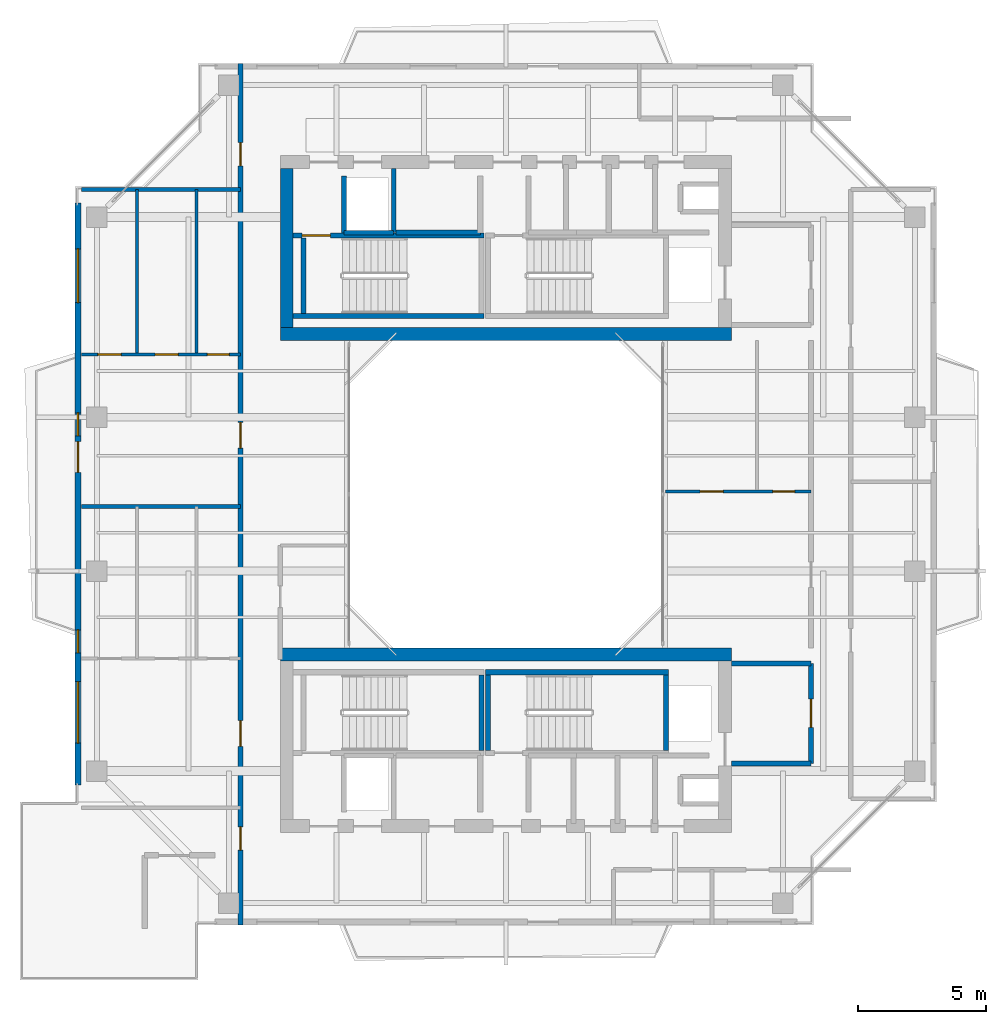
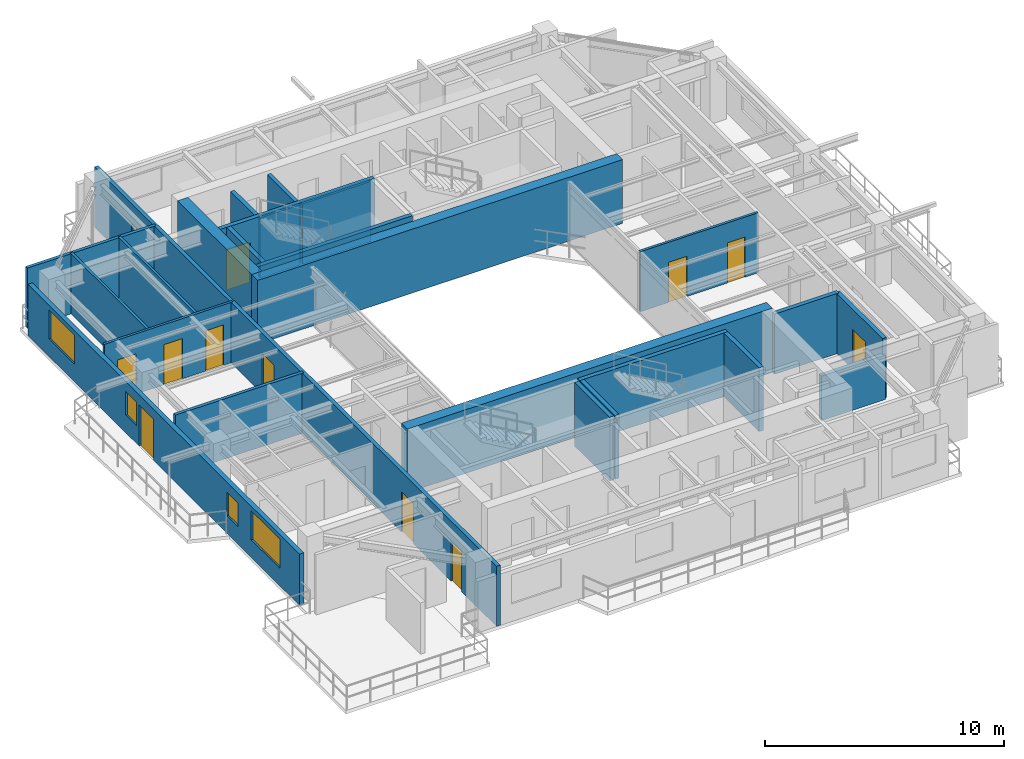
# One storey, part 10 of 15: 25 walls, 12 doors, 4 windows, 16 openings.
"""IFC4 building model written with IfcOpenShell, lengths in metres."""

from ifc_helpers import new_model, si_unit, direction, frame, frame_2d, origin, place, context, subcontext, project, spatial, rectangle, extrude, source, transform, mapped, material, layer, layer_set, type_object, element, fill, save


model = new_model("IFC4")

# Units and contexts
model_context = context("Model", 3, precision=1e-05, world=origin(), true_north=direction((0.0, 1.0)))
body_context = subcontext(model_context, "Body", "Model", "MODEL_VIEW")
ifc_project = project(units=[si_unit("LENGTHUNIT", "METRE"), si_unit("AREAUNIT", "SQUARE_METRE"), si_unit("VOLUMEUNIT", "CUBIC_METRE"), si_unit("PLANEANGLEUNIT", "RADIAN"), si_unit("MASSUNIT", "GRAM", prefix="KILO"), si_unit("THERMODYNAMICTEMPERATUREUNIT", "KELVIN"), si_unit("POWERUNIT", "WATT")], contexts=[model_context])

# Site, building, storey
site_placement = place(None, origin())
site = spatial("IfcSite", under=ifc_project, at=site_placement, CompositionType="ELEMENT")
building_placement = place(site_placement, origin())
building = spatial("IfcBuilding", under=site, at=building_placement, Name="Qiaomeng Ring Towers", CompositionType="ELEMENT")
storey_placement = place(building_placement, frame((0.0, 0.0, 193.75)))
storey = spatial("IfcBuildingStorey", under=building, at=storey_placement, Name="L56", CompositionType="ELEMENT", Elevation=193.75)

# Wall, openings, windows, door
ifc_material_1 = material(Name="Precast concrete C40", Category="concrete")
ifc_layer_1 = layer(ifc_material_1, 0.219970703125, Name="Precast concrete C40")
ifc_layer_set_1 = layer_set([ifc_layer_1], Name="Precast concrete C40")
wall_type_1 = type_object("IfcWallType", Name="ARC-WL-EW2", PredefinedType="STANDARD", material=ifc_layer_set_1)
wall_1_placement = place(storey_placement, frame((2.31005859375, 11.64990234375, 0.0), z_axis=(0.0, 0.0, 1.0), x_axis=(0.0, 1.0, 0.0)))
wall_1 = element("IfcWall", 1, at=wall_1_placement, inside=storey, type_object=wall_type_1, Name="L56 Tower 1 W Exterior Wall", PredefinedType="STANDARD", context=body_context, shape_type="SweptSolid", body=[
    extrude(rectangle(XDim=22.7001953125, YDim=0.219970703125, at=frame_2d((11.35009765625, 0.0))), origin(), (0.0, 0.0, 1.0), 2.610107421875),
])
opening_1_placement = place(wall_1_placement, frame((12.199951171875, 0.0, 0.0)))
opening_1 = element("IfcOpeningElement", 2, at=opening_1_placement, cuts=wall_1, Name="Opening BD1", PredefinedType="OPENING", context=body_context, shape_type="SweptSolid", body=[
    extrude(rectangle(XDim=1.199951171875, YDim=2.10009765625, at=frame_2d((0.60009765625, 1.050048828125))), frame((0.0, 0.119873046875, 0.0), z_axis=(0.0, -1.0, 0.0), x_axis=(1.0, 0.0, 0.0)), (0.0, 0.0, 1.0), 0.239990234375),
])
opening_2_placement = place(wall_1_placement, frame((1.637939453125, 0.0, 0.89990234375)))
opening_2 = element("IfcOpeningElement", 3, at=opening_2_placement, cuts=wall_1, Name="Opening WN6", PredefinedType="OPENING", context=body_context, shape_type="SweptSolid", body=[
    extrude(rectangle(XDim=2.39990234375, YDim=1.47998046875, at=frame_2d((1.199951171875, 0.739990234375))), frame((0.0, 0.119873046875, 0.0), z_axis=(0.0, -1.0, 0.0), x_axis=(1.0, 0.0, 0.0)), (0.0, 0.0, 1.0), 0.239990234375),
])
opening_3_placement = place(wall_1_placement, frame((18.81298828125, 0.0, 0.89990234375)))
opening_3 = element("IfcOpeningElement", 4, at=opening_3_placement, cuts=wall_1, Name="Opening WN4", PredefinedType="OPENING", context=body_context, shape_type="SweptSolid", body=[
    extrude(rectangle(XDim=2.10009765625, YDim=1.47998046875, at=frame_2d((1.050048828125, 0.739990234375))), frame((0.0, 0.119873046875, 0.0), z_axis=(0.0, -1.0, 0.0), x_axis=(1.0, 0.0, 0.0)), (0.0, 0.0, 1.0), 0.239990234375),
])
opening_4_placement = place(wall_1_placement, frame((5.159912109375, 0.0, 0.89990234375)))
opening_4 = element("IfcOpeningElement", 5, at=opening_4_placement, cuts=wall_1, Name="Opening WN5", PredefinedType="OPENING", context=body_context, shape_type="SweptSolid", body=[
    extrude(rectangle(XDim=0.89990234375, YDim=1.199951171875, at=frame_2d((0.449951171875, 0.60009765625))), frame((0.0, 0.119873046875, 0.0), z_axis=(0.0, -1.0, 0.0), x_axis=(1.0, 0.0, 0.0)), (0.0, 0.0, 1.0), 0.239990234375),
])
opening_5_placement = place(wall_1_placement, frame((13.6201171875, 0.0, 0.89990234375)))
opening_5 = element("IfcOpeningElement", 6, at=opening_5_placement, cuts=wall_1, Name="Opening WN5", PredefinedType="OPENING", context=body_context, shape_type="SweptSolid", body=[
    extrude(rectangle(XDim=0.89990234375, YDim=1.199951171875, at=frame_2d((0.449951171875, 0.60009765625))), frame((0.0, 0.119873046875, 0.0), z_axis=(0.0, -1.0, 0.0), x_axis=(1.0, 0.0, 0.0)), (0.0, 0.0, 1.0), 0.239990234375),
])
ifc_material_2 = material(Name="Low-E dark-grey laminated double glazing", Category="glass")
window_type_1 = type_object("IfcWindowType", Name="ARC-WN-4", PartitioningType="TRIPLE_PANEL_VERTICAL", PredefinedType="WINDOW", material=ifc_material_2)
shared_shape_1 = source(origin(), body_context, "Body", "SweptSolid", [
    extrude(rectangle(XDim=2.10009765625, YDim=1.47998046875, at=frame_2d((1.050048828125, 0.739990234375))), frame((0.0, 0.030029296875, 0.0), z_axis=(0.0, -1.0, 0.0), x_axis=(1.0, 0.0, 0.0)), (0.0, 0.0, 1.0), 0.06005859375),
])
window_1_placement = place(opening_3_placement, origin())
window_1 = element("IfcWindow", 7, at=window_1_placement, inside=storey, type_object=window_type_1, Name="L56 Exterior Window WN4", OverallHeight=1.47998046875, OverallWidth=2.10009765625, PartitioningType="TRIPLE_PANEL_VERTICAL", PredefinedType="WINDOW", context=body_context, shape_type="MappedRepresentation", body=[
    mapped(shared_shape_1, transform((0.0, 0.0, 0.0), x_axis=(1.0, 0.0, 0.0), y_axis=(0.0, 1.0, 0.0), z_axis=(0.0, 0.0, 1.0), scale=1.0)),
])
fill(opening_3, window_1)
window_type_2 = type_object("IfcWindowType", Name="ARC-WN-6", PartitioningType="TRIPLE_PANEL_VERTICAL", PredefinedType="WINDOW", material=ifc_material_2)
shared_shape_2 = source(origin(), body_context, "Body", "SweptSolid", [
    extrude(rectangle(XDim=2.39990234375, YDim=1.47998046875, at=frame_2d((1.199951171875, 0.739990234375))), frame((0.0, 0.030029296875, 0.0), z_axis=(0.0, -1.0, 0.0), x_axis=(1.0, 0.0, 0.0)), (0.0, 0.0, 1.0), 0.06005859375),
])
window_2_placement = place(opening_2_placement, origin())
window_2 = element("IfcWindow", 8, at=window_2_placement, inside=storey, type_object=window_type_2, Name="L56 Exterior Window WN6", OverallHeight=1.47998046875, OverallWidth=2.39990234375, PartitioningType="TRIPLE_PANEL_VERTICAL", PredefinedType="WINDOW", context=body_context, shape_type="MappedRepresentation", body=[
    mapped(shared_shape_2, transform((0.0, 0.0, 0.0), x_axis=(1.0, 0.0, 0.0), y_axis=(0.0, 1.0, 0.0), z_axis=(0.0, 0.0, 1.0), scale=1.0)),
])
fill(opening_2, window_2)
door_type_1 = type_object("IfcDoorType", Name="ARC-DR-BD1", OperationType="NOTDEFINED", PredefinedType="DOOR", material=ifc_material_2)
shared_shape_3 = source(origin(), body_context, "Body", "SweptSolid", [
    extrude(rectangle(XDim=1.199951171875, YDim=2.10009765625, at=frame_2d((0.60009765625, 1.050048828125))), frame((0.0, 0.02490234375, 0.0), z_axis=(0.0, -1.0, 0.0), x_axis=(1.0, 0.0, 0.0)), (0.0, 0.0, 1.0), 0.050048828125),
])
door_1_placement = place(opening_1_placement, frame((1.199951171875, 0.0, 0.0), z_axis=(0.0, 0.0, 1.0), x_axis=(-1.0, 0.0, 0.0)))
door_1 = element("IfcDoor", 9, at=door_1_placement, inside=storey, type_object=door_type_1, Name="L56 W Balcony Glazed Door", OperationType="SINGLE_SWING_LEFT", OverallHeight=2.10009765625, OverallWidth=1.199951171875, PredefinedType="DOOR", context=body_context, shape_type="MappedRepresentation", body=[
    mapped(shared_shape_3, transform((0.0, 0.0, 0.0), x_axis=(1.0, 0.0, 0.0), y_axis=(0.0, 1.0, 0.0), z_axis=(0.0, 0.0, 1.0), scale=1.0)),
])
fill(opening_1, door_1)
window_type_3 = type_object("IfcWindowType", Name="ARC-WN-5", PartitioningType="SINGLE_PANEL", PredefinedType="WINDOW", material=ifc_material_2)
shared_shape_4 = source(origin(), body_context, "Body", "SweptSolid", [
    extrude(rectangle(XDim=0.89990234375, YDim=1.199951171875, at=frame_2d((0.449951171875, 0.60009765625))), frame((0.0, 0.030029296875, 0.0), z_axis=(0.0, -1.0, 0.0), x_axis=(1.0, 0.0, 0.0)), (0.0, 0.0, 1.0), 0.06005859375),
])
window_3_placement = place(opening_4_placement, origin())
window_3 = element("IfcWindow", 10, at=window_3_placement, inside=storey, type_object=window_type_3, Name="L56 Exterior Window WN5", OverallHeight=1.199951171875, OverallWidth=0.89990234375, PartitioningType="SINGLE_PANEL", PredefinedType="WINDOW", context=body_context, shape_type="MappedRepresentation", body=[
    mapped(shared_shape_4, transform((0.0, 0.0, 0.0), x_axis=(1.0, 0.0, 0.0), y_axis=(0.0, 1.0, 0.0), z_axis=(0.0, 0.0, 1.0), scale=1.0)),
])
fill(opening_4, window_3)
window_4_placement = place(opening_5_placement, origin())
window_4 = element("IfcWindow", 11, at=window_4_placement, inside=storey, type_object=window_type_3, Name="L56 Exterior Window WN5", OverallHeight=1.199951171875, OverallWidth=0.89990234375, PartitioningType="SINGLE_PANEL", PredefinedType="WINDOW", context=body_context, shape_type="MappedRepresentation", body=[
    mapped(shared_shape_4, transform((0.0, 0.0, 0.0), x_axis=(1.0, 0.0, 0.0), y_axis=(0.0, 1.0, 0.0), z_axis=(0.0, 0.0, 1.0), scale=1.0)),
])
fill(opening_5, window_4)

# Walls
ifc_material_3 = material(Name="Autoclaved aerated concrete block", Category="concrete")
ifc_layer_2 = layer(ifc_material_3, 0.199951171875, Name="Autoclaved aerated concrete block")
ifc_layer_set_2 = layer_set([ifc_layer_2], Name="Autoclaved aerated concrete block")
wall_type_2 = type_object("IfcWallType", Name="ARC-WL-PW1", PredefinedType="PARTITIONING", material=ifc_layer_set_2)
wall_2_placement = place(storey_placement, frame((27.800048828125, 16.39990234375, 0.0), z_axis=(0.0, 0.0, 1.0), x_axis=(1.0, 0.0, 0.0)))
element("IfcWall", 12, at=wall_2_placement, inside=storey, type_object=wall_type_2, Name="L56 Interior Wall PW1", PredefinedType="PARTITIONING", context=body_context, shape_type="SweptSolid", body=[
    extrude(rectangle(XDim=3.099853515625, YDim=0.199951171875, at=frame_2d((1.5498046875, 0.0))), origin(), (0.0, 0.0, 1.0), 3.070068359375),
])
wall_3_placement = place(storey_placement, frame((27.800048828125, 12.5, 0.0), z_axis=(0.0, 0.0, 1.0), x_axis=(1.0, 0.0, 0.0)))
element("IfcWall", 13, at=wall_3_placement, inside=storey, type_object=wall_type_2, Name="L56 Interior Wall PW1", PredefinedType="PARTITIONING", context=body_context, shape_type="SweptSolid", body=[
    extrude(rectangle(XDim=3.099853515625, YDim=0.199951171875, at=frame_2d((1.5498046875, 0.0))), origin(), (0.0, 0.0, 1.0), 2.264892578125),
])

# Wall, opening, door
wall_4_placement = place(storey_placement, frame((30.89990234375, 12.5, 0.0), z_axis=(0.0, 0.0, 1.0), x_axis=(0.0, 1.0, 0.0)))
wall_4 = element("IfcWall", 14, at=wall_4_placement, inside=storey, type_object=wall_type_2, Name="L56 Interior Wall PW1", PredefinedType="PARTITIONING", context=body_context, shape_type="SweptSolid", body=[
    extrude(rectangle(XDim=3.89990234375, YDim=0.199951171875, at=frame_2d((1.949951171875, 0.0))), origin(), (0.0, 0.0, 1.0), 3.070068359375),
])
opening_6_placement = place(wall_4_placement, frame((1.39990234375, 0.0, 0.0)))
opening_6 = element("IfcOpeningElement", 15, at=opening_6_placement, cuts=wall_4, Name="Opening FD3", PredefinedType="OPENING", context=body_context, shape_type="SweptSolid", body=[
    extrude(rectangle(XDim=1.10009765625, YDim=2.050048828125, at=frame_2d((0.550048828125, 1.02490234375))), frame((0.0, 0.10986328125, 0.0), z_axis=(0.0, -1.0, 0.0), x_axis=(1.0, 0.0, 0.0)), (0.0, 0.0, 1.0), 0.219970703125),
])
ifc_material_4 = material(Name="Galvanised steel", Category="steel")
door_type_2 = type_object("IfcDoorType", Name="ARC-DR-FD3", OperationType="NOTDEFINED", PredefinedType="DOOR", material=ifc_material_4)
shared_shape_5 = source(origin(), body_context, "Body", "SweptSolid", [
    extrude(rectangle(XDim=1.10009765625, YDim=2.050048828125, at=frame_2d((0.550048828125, 1.02490234375))), frame((0.0, 0.02490234375, 0.0), z_axis=(0.0, -1.0, 0.0), x_axis=(1.0, 0.0, 0.0)), (0.0, 0.0, 1.0), 0.050048828125),
])
door_2_placement = place(opening_6_placement, origin())
door_2 = element("IfcDoor", 16, at=door_2_placement, inside=storey, type_object=door_type_2, Name="L56 South FF Lobby Door", OperationType="SINGLE_SWING_RIGHT", OverallHeight=2.050048828125, OverallWidth=1.10009765625, PredefinedType="DOOR", context=body_context, shape_type="MappedRepresentation", body=[
    mapped(shared_shape_5, transform((0.0, 0.0, 0.0), x_axis=(1.0, 0.0, 0.0), y_axis=(0.0, 1.0, 0.0), z_axis=(0.0, 0.0, 1.0), scale=1.0)),
])
fill(opening_6, door_2)

# Walls
wall_5_placement = place(storey_placement, frame((12.679931640625, 33.18994140625, 0.0), z_axis=(0.0, 0.0, 1.0), x_axis=(0.0, 1.0, 0.0)))
element("IfcWall", 17, at=wall_5_placement, inside=storey, type_object=wall_type_2, Name="L56 Interior Wall PW1", PredefinedType="PARTITIONING", context=body_context, shape_type="SweptSolid", body=[
    extrude(rectangle(XDim=2.2099609375, YDim=0.199951171875, at=frame_2d((1.10498046875, 0.0))), origin(), (0.0, 0.0, 1.0), 3.070068359375),
])
wall_6_placement = place(storey_placement, frame((14.719970703125, 33.199951171875, 0.0), z_axis=(0.0, 0.0, 1.0), x_axis=(1.0, 0.0, 0.0)))
element("IfcWall", 18, at=wall_6_placement, inside=storey, type_object=wall_type_2, Name="L56 Interior Wall PW1", PredefinedType="PARTITIONING", context=body_context, shape_type="SweptSolid", body=[
    extrude(rectangle(XDim=3.280029296875, YDim=0.199951171875, at=frame_2d((1.64013671875, 0.0))), origin(), (0.0, 0.0, 1.0), 3.070068359375),
])

# Wall, openings, doors
ifc_layer_3 = layer(ifc_material_3, 0.179931640625, Name="Autoclaved aerated concrete block")
ifc_layer_set_3 = layer_set([ifc_layer_3], Name="Autoclaved aerated concrete block")
wall_type_3 = type_object("IfcWallType", Name="ARC-WL-PW2", PredefinedType="PARTITIONING", material=ifc_layer_set_3)
wall_7_placement = place(storey_placement, frame((8.64990234375, 6.199951171875, 0.0), z_axis=(0.0, 0.0, 1.0), x_axis=(0.0, 1.0, 0.0)))
wall_7 = element("IfcWall", 19, at=wall_7_placement, inside=storey, type_object=wall_type_3, Name="L56 Interior Wall PW2", PredefinedType="PARTITIONING", context=body_context, shape_type="SweptSolid", body=[
    extrude(rectangle(XDim=33.60009765625, YDim=0.179931640625, at=frame_2d((16.800048828125, 0.0))), origin(), (0.0, 0.0, 1.0), 3.070068359375),
])
opening_7_placement = place(wall_7_placement, frame((29.60498046875, 0.0, 0.0)))
opening_7 = element("IfcOpeningElement", 20, at=opening_7_placement, cuts=wall_7, Name="Opening ID1", PredefinedType="OPENING", context=body_context, shape_type="SweptSolid", body=[
    extrude(rectangle(XDim=0.89990234375, YDim=2.050048828125, at=frame_2d((0.449951171875, 1.02490234375))), frame((0.0, 0.099853515625, 0.0), z_axis=(0.0, -1.0, 0.0), x_axis=(1.0, 0.0, 0.0)), (0.0, 0.0, 1.0), 0.199951171875),
])
opening_8_placement = place(wall_7_placement, frame((2.919921875, 0.0, 0.0)))
opening_8 = element("IfcOpeningElement", 21, at=opening_8_placement, cuts=wall_7, Name="Opening ID1", PredefinedType="OPENING", context=body_context, shape_type="SweptSolid", body=[
    extrude(rectangle(XDim=0.89990234375, YDim=2.050048828125, at=frame_2d((0.449951171875, 1.02490234375))), frame((0.0, 0.099853515625, 0.0), z_axis=(0.0, -1.0, 0.0), x_axis=(1.0, 0.0, 0.0)), (0.0, 0.0, 1.0), 0.199951171875),
])
opening_9_placement = place(wall_7_placement, frame((6.965087890625, 0.0, 0.0)))
opening_9 = element("IfcOpeningElement", 22, at=opening_9_placement, cuts=wall_7, Name="Opening FD4", PredefinedType="OPENING", context=body_context, shape_type="SweptSolid", body=[
    extrude(rectangle(XDim=1.0, YDim=2.050048828125, at=frame_2d((0.5, 1.02490234375))), frame((0.0, 0.099853515625, 0.0), z_axis=(0.0, -1.0, 0.0), x_axis=(1.0, 0.0, 0.0)), (0.0, 0.0, 1.0), 0.199951171875),
])
opening_10_placement = place(wall_7_placement, frame((18.594970703125, 0.0, 0.0)))
opening_10 = element("IfcOpeningElement", 23, at=opening_10_placement, cuts=wall_7, Name="Opening FD4", PredefinedType="OPENING", context=body_context, shape_type="SweptSolid", body=[
    extrude(rectangle(XDim=1.0, YDim=2.050048828125, at=frame_2d((0.5, 1.02490234375))), frame((0.0, 0.099853515625, 0.0), z_axis=(0.0, -1.0, 0.0), x_axis=(1.0, 0.0, 0.0)), (0.0, 0.0, 1.0), 0.199951171875),
])
ifc_material_5 = material(Name="Engineered fire-rated oak timber", Category="wood")
door_type_3 = type_object("IfcDoorType", Name="ARC-DR-FD4", OperationType="NOTDEFINED", PredefinedType="DOOR", material=ifc_material_5)
shared_shape_6 = source(origin(), body_context, "Body", "SweptSolid", [
    extrude(rectangle(XDim=1.0, YDim=2.050048828125, at=frame_2d((0.5, 1.02490234375))), frame((0.0, 0.02490234375, 0.0), z_axis=(0.0, -1.0, 0.0), x_axis=(1.0, 0.0, 0.0)), (0.0, 0.0, 1.0), 0.050048828125),
])
door_3_placement = place(opening_9_placement, origin())
door_3 = element("IfcDoor", 24, at=door_3_placement, inside=storey, type_object=door_type_3, Name="L56 Door FD4", OperationType="SINGLE_SWING_LEFT", OverallHeight=2.050048828125, OverallWidth=1.0, PredefinedType="DOOR", context=body_context, shape_type="MappedRepresentation", body=[
    mapped(shared_shape_6, transform((0.0, 0.0, 0.0), x_axis=(1.0, 0.0, 0.0), y_axis=(0.0, 1.0, 0.0), z_axis=(0.0, 0.0, 1.0), scale=1.0)),
])
fill(opening_9, door_3)
door_4_placement = place(opening_10_placement, origin())
door_4 = element("IfcDoor", 25, at=door_4_placement, inside=storey, type_object=door_type_3, Name="L56 Door FD4", OperationType="SINGLE_SWING_LEFT", OverallHeight=2.050048828125, OverallWidth=1.0, PredefinedType="DOOR", context=body_context, shape_type="MappedRepresentation", body=[
    mapped(shared_shape_6, transform((0.0, 0.0, 0.0), x_axis=(1.0, 0.0, 0.0), y_axis=(0.0, 1.0, 0.0), z_axis=(0.0, 0.0, 1.0), scale=1.0)),
])
fill(opening_10, door_4)
ifc_material_6 = material(Name="Engineered oak timber", Category="wood")
door_type_4 = type_object("IfcDoorType", Name="ARC-DR-ID1", OperationType="NOTDEFINED", PredefinedType="DOOR", material=ifc_material_6)
shared_shape_7 = source(origin(), body_context, "Body", "SweptSolid", [
    extrude(rectangle(XDim=0.89990234375, YDim=2.050048828125, at=frame_2d((0.449951171875, 1.02490234375))), frame((0.0, 0.02490234375, 0.0), z_axis=(0.0, -1.0, 0.0), x_axis=(1.0, 0.0, 0.0)), (0.0, 0.0, 1.0), 0.050048828125),
])
door_5_placement = place(opening_7_placement, origin())
door_5 = element("IfcDoor", 26, at=door_5_placement, inside=storey, type_object=door_type_4, Name="L56 Door ID1", OperationType="SINGLE_SWING_RIGHT", OverallHeight=2.050048828125, OverallWidth=0.89990234375, PredefinedType="DOOR", context=body_context, shape_type="MappedRepresentation", body=[
    mapped(shared_shape_7, transform((0.0, 0.0, 0.0), x_axis=(1.0, 0.0, 0.0), y_axis=(0.0, 1.0, 0.0), z_axis=(0.0, 0.0, 1.0), scale=1.0)),
])
fill(opening_7, door_5)
door_6_placement = place(opening_8_placement, origin())
door_6 = element("IfcDoor", 27, at=door_6_placement, inside=storey, type_object=door_type_4, Name="L56 Door ID1", OperationType="SINGLE_SWING_LEFT", OverallHeight=2.050048828125, OverallWidth=0.89990234375, PredefinedType="DOOR", context=body_context, shape_type="MappedRepresentation", body=[
    mapped(shared_shape_7, transform((0.0, 0.0, 0.0), x_axis=(1.0, 0.0, 0.0), y_axis=(0.0, 1.0, 0.0), z_axis=(0.0, 0.0, 1.0), scale=1.0)),
])
fill(opening_8, door_6)

# Walls
ifc_material_7 = material(Name="Gypsum fireboard steel-stud partition", Category="steel")
ifc_layer_4 = layer(ifc_material_7, 0.14990234375, Name="Gypsum fireboard steel-stud partition")
ifc_layer_set_4 = layer_set([ifc_layer_4], Name="Gypsum fireboard steel-stud partition")
wall_type_4 = type_object("IfcWallType", Name="ARC-WL-PW3", PredefinedType="PARTITIONING", material=ifc_layer_set_4)
for number, where, z_axis, x_axis, name in (
    (28, (2.449951171875, 34.8798828125, 0.0), (0.0, 0.0, 1.0), (1.0, 0.0, 0.0), "L56 Interior Wall PW3"),
    (29, (2.449951171875, 22.52001953125, 0.0), (0.0, 0.0, 1.0), (1.0, 0.0, 0.0), "L56 Interior Wall PW3"),
):
    element("IfcWall", number, at=place(storey_placement, frame(where, z_axis=z_axis, x_axis=x_axis)), inside=storey, type_object=wall_type_4, Name=name, PredefinedType="PARTITIONING", context=body_context, shape_type="SweptSolid", body=[
        extrude(rectangle(XDim=6.199951171875, YDim=0.14990234375, at=frame_2d((3.10009765625, 0.0))), origin(), (0.0, 0.0, 1.0), 3.070068359375),
    ])

# Wall, openings, doors
ifc_material_8 = material(Name="Moisture-resistant gypsum steel-stud partition", Category="steel")
ifc_layer_5 = layer(ifc_material_8, 0.1201171875, Name="Moisture-resistant gypsum steel-stud partition")
ifc_layer_set_5 = layer_set([ifc_layer_5], Name="Moisture-resistant gypsum steel-stud partition")
wall_type_5 = type_object("IfcWallType", Name="ARC-WL-PW4", PredefinedType="PLUMBINGWALL", material=ifc_layer_set_5)
wall_8_placement = place(storey_placement, frame((2.449951171875, 28.449951171875, 0.0), z_axis=(0.0, 0.0, 1.0), x_axis=(1.0, 0.0, 0.0)))
wall_8 = element("IfcWall", 30, at=wall_8_placement, inside=storey, type_object=wall_type_5, Name="L56 Interior Wall PW4", PredefinedType="PLUMBINGWALL", context=body_context, shape_type="SweptSolid", body=[
    extrude(rectangle(XDim=6.199951171875, YDim=0.1201171875, at=frame_2d((3.10009765625, 0.0))), origin(), (0.0, 0.0, 1.0), 3.070068359375),
])
opening_11_placement = place(wall_8_placement, frame((0.639892578125, 0.0, 0.0)))
opening_11 = element("IfcOpeningElement", 31, at=opening_11_placement, cuts=wall_8, Name="Opening ID1", PredefinedType="OPENING", context=body_context, shape_type="SweptSolid", body=[
    extrude(rectangle(XDim=0.89990234375, YDim=2.050048828125, at=frame_2d((0.449951171875, 1.02490234375))), frame((0.0, 0.070068359375, 0.0), z_axis=(0.0, -1.0, 0.0), x_axis=(1.0, 0.0, 0.0)), (0.0, 0.0, 1.0), 0.14013671875),
])
opening_12_placement = place(wall_8_placement, frame((2.8701171875, 0.0, 0.0)))
opening_12 = element("IfcOpeningElement", 32, at=opening_12_placement, cuts=wall_8, Name="Opening ID1", PredefinedType="OPENING", context=body_context, shape_type="SweptSolid", body=[
    extrude(rectangle(XDim=0.89990234375, YDim=2.050048828125, at=frame_2d((0.449951171875, 1.02490234375))), frame((0.0, 0.070068359375, 0.0), z_axis=(0.0, -1.0, 0.0), x_axis=(1.0, 0.0, 0.0)), (0.0, 0.0, 1.0), 0.14013671875),
])
opening_13_placement = place(wall_8_placement, frame((4.905029296875, 0.0, 0.0)))
opening_13 = element("IfcOpeningElement", 33, at=opening_13_placement, cuts=wall_8, Name="Opening ID2", PredefinedType="OPENING", context=body_context, shape_type="SweptSolid", body=[
    extrude(rectangle(XDim=0.85009765625, YDim=2.050048828125, at=frame_2d((0.425048828125, 1.02490234375))), frame((0.0, 0.070068359375, 0.0), z_axis=(0.0, -1.0, 0.0), x_axis=(1.0, 0.0, 0.0)), (0.0, 0.0, 1.0), 0.14013671875),
])
ifc_material_9 = material(Name="Moisture-resistant engineered timber", Category="wood")
door_type_5 = type_object("IfcDoorType", Name="ARC-DR-ID2", OperationType="NOTDEFINED", PredefinedType="DOOR", material=ifc_material_9)
shared_shape_8 = source(origin(), body_context, "Body", "SweptSolid", [
    extrude(rectangle(XDim=0.85009765625, YDim=2.050048828125, at=frame_2d((0.425048828125, 1.02490234375))), frame((0.0, 0.02490234375, 0.0), z_axis=(0.0, -1.0, 0.0), x_axis=(1.0, 0.0, 0.0)), (0.0, 0.0, 1.0), 0.050048828125),
])
door_7_placement = place(opening_13_placement, origin())
door_7 = element("IfcDoor", 34, at=door_7_placement, inside=storey, type_object=door_type_5, Name="L56 Door ID2", OperationType="SINGLE_SWING_RIGHT", OverallHeight=2.050048828125, OverallWidth=0.85009765625, PredefinedType="DOOR", context=body_context, shape_type="MappedRepresentation", body=[
    mapped(shared_shape_8, transform((0.0, 0.0, 0.0), x_axis=(1.0, 0.0, 0.0), y_axis=(0.0, 1.0, 0.0), z_axis=(0.0, 0.0, 1.0), scale=1.0)),
])
fill(opening_13, door_7)
door_8_placement = place(opening_11_placement, origin())
door_8 = element("IfcDoor", 35, at=door_8_placement, inside=storey, type_object=door_type_4, Name="L56 Door ID1", OperationType="SINGLE_SWING_RIGHT", OverallHeight=2.050048828125, OverallWidth=0.89990234375, PredefinedType="DOOR", context=body_context, shape_type="MappedRepresentation", body=[
    mapped(shared_shape_7, transform((0.0, 0.0, 0.0), x_axis=(1.0, 0.0, 0.0), y_axis=(0.0, 1.0, 0.0), z_axis=(0.0, 0.0, 1.0), scale=1.0)),
])
fill(opening_11, door_8)
door_9_placement = place(opening_12_placement, origin())
door_9 = element("IfcDoor", 36, at=door_9_placement, inside=storey, type_object=door_type_4, Name="L56 Door ID1", OperationType="SINGLE_SWING_LEFT", OverallHeight=2.050048828125, OverallWidth=0.89990234375, PredefinedType="DOOR", context=body_context, shape_type="MappedRepresentation", body=[
    mapped(shared_shape_7, transform((0.0, 0.0, 0.0), x_axis=(1.0, 0.0, 0.0), y_axis=(0.0, 1.0, 0.0), z_axis=(0.0, 0.0, 1.0), scale=1.0)),
])
fill(opening_12, door_9)

# Walls
for number, where, z_axis, x_axis, name in (
    (37, (4.610107421875, 28.449951171875, 0.0), (0.0, 0.0, 1.0), (0.0, 1.0, 0.0), "L56 Interior Wall PW4"),
    (38, (6.929931640625, 28.449951171875, 0.0), (0.0, 0.0, 1.0), (0.0, 1.0, 0.0), "L56 Interior Wall PW4"),
):
    element("IfcWall", number, at=place(storey_placement, frame(where, z_axis=z_axis, x_axis=x_axis)), inside=storey, type_object=wall_type_5, Name=name, PredefinedType="PLUMBINGWALL", context=body_context, shape_type="SweptSolid", body=[
        extrude(rectangle(XDim=6.429931640625, YDim=0.1201171875, at=frame_2d((3.21484375, 0.0))), origin(), (0.0, 0.0, 1.0), 3.070068359375),
    ])

# Wall, openings, doors
wall_9_placement = place(storey_placement, frame((25.219970703125, 23.10009765625, 0.0), z_axis=(0.0, 0.0, 1.0), x_axis=(1.0, 0.0, 0.0)))
wall_9 = element("IfcWall", 39, at=wall_9_placement, inside=storey, type_object=wall_type_5, Name="L56 Interior Wall PW4", PredefinedType="PLUMBINGWALL", context=body_context, shape_type="SweptSolid", body=[
    extrude(rectangle(XDim=5.679931640625, YDim=0.1201171875, at=frame_2d((2.83984375, 0.0))), origin(), (0.0, 0.0, 1.0), 3.070068359375),
])
opening_14_placement = place(wall_9_placement, frame((1.35009765625, 0.0, 0.0)))
opening_14 = element("IfcOpeningElement", 40, at=opening_14_placement, cuts=wall_9, Name="Opening ID1", PredefinedType="OPENING", context=body_context, shape_type="SweptSolid", body=[
    extrude(rectangle(XDim=0.89990234375, YDim=2.050048828125, at=frame_2d((0.449951171875, 1.02490234375))), frame((0.0, 0.070068359375, 0.0), z_axis=(0.0, -1.0, 0.0), x_axis=(1.0, 0.0, 0.0)), (0.0, 0.0, 1.0), 0.14013671875),
])
opening_15_placement = place(wall_9_placement, frame((4.195068359375, 0.0, 0.0)))
opening_15 = element("IfcOpeningElement", 41, at=opening_15_placement, cuts=wall_9, Name="Opening ID2", PredefinedType="OPENING", context=body_context, shape_type="SweptSolid", body=[
    extrude(rectangle(XDim=0.85009765625, YDim=2.050048828125, at=frame_2d((0.425048828125, 1.02490234375))), frame((0.0, 0.070068359375, 0.0), z_axis=(0.0, -1.0, 0.0), x_axis=(1.0, 0.0, 0.0)), (0.0, 0.0, 1.0), 0.14013671875),
])
door_10_placement = place(opening_15_placement, origin())
door_10 = element("IfcDoor", 42, at=door_10_placement, inside=storey, type_object=door_type_5, Name="L56 Door ID2", OperationType="SINGLE_SWING_RIGHT", OverallHeight=2.050048828125, OverallWidth=0.85009765625, PredefinedType="DOOR", context=body_context, shape_type="MappedRepresentation", body=[
    mapped(shared_shape_8, transform((0.0, 0.0, 0.0), x_axis=(1.0, 0.0, 0.0), y_axis=(0.0, 1.0, 0.0), z_axis=(0.0, 0.0, 1.0), scale=1.0)),
])
fill(opening_15, door_10)
door_11_placement = place(opening_14_placement, origin())
door_11 = element("IfcDoor", 43, at=door_11_placement, inside=storey, type_object=door_type_4, Name="L56 Door ID1", OperationType="SINGLE_SWING_LEFT", OverallHeight=2.050048828125, OverallWidth=0.89990234375, PredefinedType="DOOR", context=body_context, shape_type="MappedRepresentation", body=[
    mapped(shared_shape_7, transform((0.0, 0.0, 0.0), x_axis=(1.0, 0.0, 0.0), y_axis=(0.0, 1.0, 0.0), z_axis=(0.0, 0.0, 1.0), scale=1.0)),
])
fill(opening_14, door_11)

# Walls
ifc_material_10 = material(Name="Concrete C40", Category="concrete")
ifc_layer_6 = layer(ifc_material_10, 0.199951171875, Name="Concrete C40")
ifc_layer_set_6 = layer_set([ifc_layer_6], Name="Concrete C40")
wall_type_6 = type_object("IfcWallType", Name="STR-WL-STSHAFT", PredefinedType="SHEAR", material=ifc_layer_set_6)
wall_10_placement = place(storey_placement, frame((12.679931640625, 33.199951171875, 0.0), z_axis=(0.0, 0.0, 1.0), x_axis=(1.0, 0.0, 0.0)))
element("IfcWall", 44, at=wall_10_placement, inside=storey, type_object=wall_type_6, Name="L56 Lift LP5 Shaft Back Wall", PredefinedType="SHEAR", context=body_context, shape_type="SweptSolid", body=[
    extrude(rectangle(XDim=1.940185546875, YDim=0.179931640625, at=frame_2d((0.97021484375, 0.0))), origin(), (0.0, 0.0, 1.0), 3.070068359375),
])
wall_11_placement = place(storey_placement, frame((14.6201171875, 33.199951171875, 0.0), z_axis=(0.0, 0.0, 1.0), x_axis=(0.0, 1.0, 0.0)))
element("IfcWall", 45, at=wall_11_placement, inside=storey, type_object=wall_type_6, Name="L56 Lift LP5-LP3 Shaft Divider Wall", PredefinedType="SHEAR", context=body_context, shape_type="SweptSolid", body=[
    extrude(rectangle(XDim=2.5, YDim=0.179931640625, at=frame_2d((1.25, 0.0))), origin(), (0.0, 0.0, 1.0), 3.070068359375),
])
wall_12_placement = place(storey_placement, frame((10.699951171875, 29.949951171875, 0.0), z_axis=(0.0, 0.0, 1.0), x_axis=(1.0, 0.0, 0.0)))
element("IfcWall", 46, at=wall_12_placement, inside=storey, type_object=wall_type_6, Name="L56 Stair ST1 South Shaft Shear Wall", PredefinedType="SHEAR", context=body_context, shape_type="SweptSolid", body=[
    extrude(rectangle(XDim=7.449951171875, YDim=0.199951171875, at=frame_2d((3.72509765625, 0.0))), origin(), (0.0, 0.0, 1.0), 3.25),
])

# Wall, opening, door
wall_13_placement = place(storey_placement, frame((10.699951171875, 33.090087890625, 0.0), z_axis=(0.0, 0.0, 1.0), x_axis=(1.0, 0.0, 0.0)))
wall_13 = element("IfcWall", 47, at=wall_13_placement, inside=storey, type_object=wall_type_6, Name="L56 Stair ST1 North Shaft Shear Wall", PredefinedType="SHEAR", context=body_context, shape_type="SweptSolid", body=[
    extrude(rectangle(XDim=7.449951171875, YDim=0.199951171875, at=frame_2d((3.72509765625, 0.0))), origin(), (0.0, 0.0, 1.0), 3.25),
])
opening_16_placement = place(wall_13_placement, frame((0.35009765625, 0.0, 0.0)))
opening_16 = element("IfcOpeningElement", 48, at=opening_16_placement, cuts=wall_13, Name="Opening FD3", PredefinedType="OPENING", context=body_context, shape_type="SweptSolid", body=[
    extrude(rectangle(XDim=1.10009765625, YDim=2.050048828125, at=frame_2d((0.550048828125, 1.02490234375))), frame((0.0, 0.10986328125, 0.0), z_axis=(0.0, -1.0, 0.0), x_axis=(1.0, 0.0, 0.0)), (0.0, 0.0, 1.0), 0.219970703125),
])
door_12_placement = place(opening_16_placement, origin())
door_12 = element("IfcDoor", 49, at=door_12_placement, inside=storey, type_object=door_type_2, Name="L56 Stair ST1 Exit Door", OperationType="SINGLE_SWING_RIGHT", OverallHeight=2.050048828125, OverallWidth=1.10009765625, PredefinedType="DOOR", context=body_context, shape_type="MappedRepresentation", body=[
    mapped(shared_shape_5, transform((0.0, 0.0, 0.0), x_axis=(1.0, 0.0, 0.0), y_axis=(0.0, 1.0, 0.0), z_axis=(0.0, 0.0, 1.0), scale=1.0)),
])
fill(opening_16, door_12)

# Walls
for number, where, z_axis, x_axis, name in (
    (50, (11.10009765625, 30.050048828125, 0.0), (0.0, 0.0, 1.0), (0.0, 1.0, 0.0), "L56 Stair ST1 West Shaft Shear Wall"),
    (51, (18.050048828125, 13.010009765625, 0.0), (0.0, 0.0, 1.0), (0.0, 1.0, 0.0), "L56 Stair ST3 East Shaft Shear Wall"),
):
    element("IfcWall", number, at=place(storey_placement, frame(where, z_axis=z_axis, x_axis=x_axis)), inside=storey, type_object=wall_type_6, Name=name, PredefinedType="SHEAR", context=body_context, shape_type="SweptSolid", body=[
        extrude(rectangle(XDim=2.93994140625, YDim=0.199951171875, at=frame_2d((1.469970703125, 0.0))), origin(), (0.0, 0.0, 1.0), 3.25),
    ])
wall_14_placement = place(storey_placement, frame((18.199951171875, 16.050048828125, 0.0), z_axis=(0.0, 0.0, 1.0), x_axis=(1.0, 0.0, 0.0)))
element("IfcWall", 52, at=wall_14_placement, inside=storey, type_object=wall_type_6, Name="L56 Stair ST4 North Shaft Shear Wall", PredefinedType="SHEAR", context=body_context, shape_type="SweptSolid", body=[
    extrude(rectangle(XDim=7.150146484375, YDim=0.199951171875, at=frame_2d((3.5751953125, 0.0))), origin(), (0.0, 0.0, 1.0), 3.25),
])
for number, where, z_axis, x_axis, name in (
    (53, (18.300048828125, 13.010009765625, 0.0), (0.0, 0.0, 1.0), (0.0, 1.0, 0.0), "L56 Stair ST4 West Shaft Shear Wall"),
    (54, (25.25, 13.010009765625, 0.0), (0.0, 0.0, 1.0), (0.0, 1.0, 0.0), "L56 Stair ST4 East Shaft Shear Wall"),
):
    element("IfcWall", number, at=place(storey_placement, frame(where, z_axis=z_axis, x_axis=x_axis)), inside=storey, type_object=wall_type_6, Name=name, PredefinedType="SHEAR", context=body_context, shape_type="SweptSolid", body=[
        extrude(rectangle(XDim=2.93994140625, YDim=0.199951171875, at=frame_2d((1.469970703125, 0.0))), origin(), (0.0, 0.0, 1.0), 3.25),
    ])
ifc_layer_7 = layer(ifc_material_10, 0.5, Name="Concrete C40")
ifc_layer_set_7 = layer_set([ifc_layer_7], Name="Concrete C40")
wall_type_7 = type_object("IfcWallType", Name="STR-WL-SW3", PredefinedType="SHEAR", material=ifc_layer_set_7)
wall_15_placement = place(storey_placement, frame((10.199951171875, 29.25, 0.0), z_axis=(0.0, 0.0, 1.0), x_axis=(1.0, 0.0, 0.0)))
element("IfcWall", 55, at=wall_15_placement, inside=storey, type_object=wall_type_7, Name="L56 T1NC south core shear wall", PredefinedType="SHEAR", context=body_context, shape_type="SweptSolid", body=[
    extrude(rectangle(XDim=17.60009765625, YDim=0.5, at=frame_2d((8.800048828125, 0.0))), origin(), (0.0, 0.0, 1.0), 3.25),
])
wall_16_placement = place(storey_placement, frame((10.449951171875, 29.5, 0.0), z_axis=(0.0, 0.0, 1.0), x_axis=(0.0, 1.0, 0.0)))
element("IfcWall", 56, at=wall_16_placement, inside=storey, type_object=wall_type_7, Name="L56 T1NC west core shear wall", PredefinedType="SHEAR", context=body_context, shape_type="SweptSolid", body=[
    extrude(rectangle(XDim=6.199951171875, YDim=0.5, at=frame_2d((3.10009765625, 0.0))), origin(), (0.0, 0.0, 1.0), 3.25),
])
wall_17_placement = place(storey_placement, frame((10.199951171875, 16.75, 0.0), z_axis=(0.0, 0.0, 1.0), x_axis=(1.0, 0.0, 0.0)))
element("IfcWall", 57, at=wall_17_placement, inside=storey, type_object=wall_type_7, Name="L56 T1SC north core shear wall", PredefinedType="SHEAR", context=body_context, shape_type="SweptSolid", body=[
    extrude(rectangle(XDim=17.60009765625, YDim=0.5, at=frame_2d((8.800048828125, 0.0))), origin(), (0.0, 0.0, 1.0), 3.25),
])

save(model, "model.ifc")
